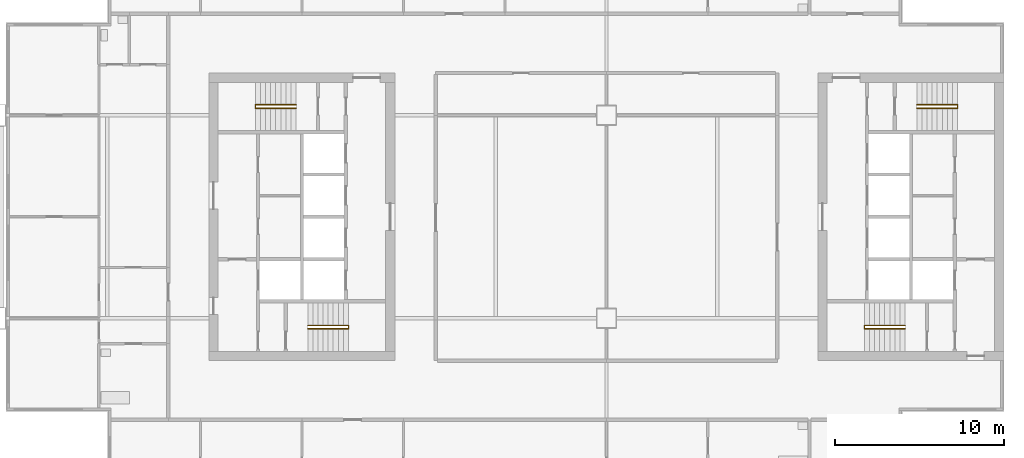
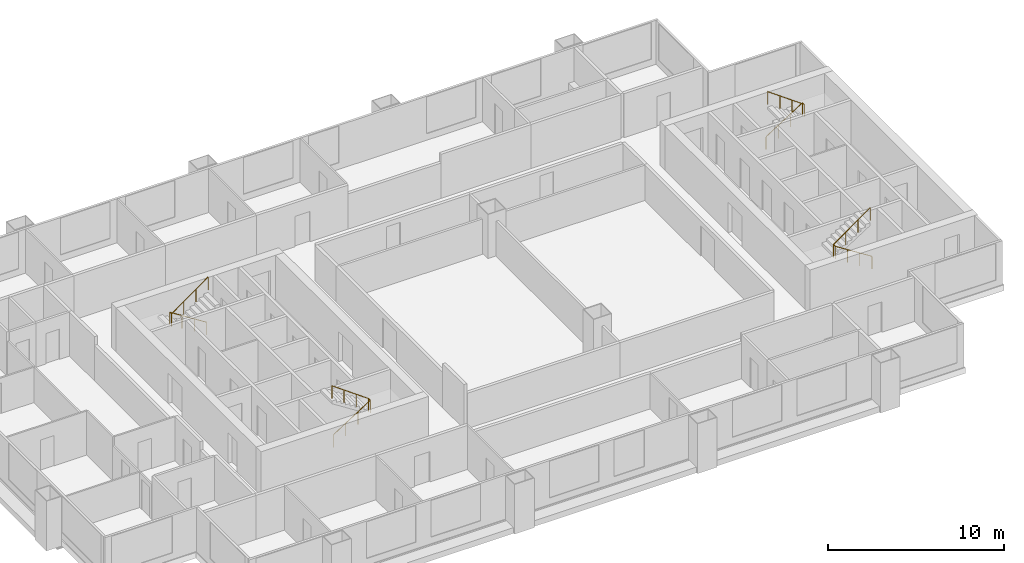
# One storey, part 7 of 8: 4 railings.
"""IFC4 building model written with IfcOpenShell, lengths in metres."""

from ifc_helpers import new_model, si_unit, direction, frame, origin, origin_2d, place, context, subcontext, project, spatial, circle, extrude, material, type_object, element, save


model = new_model("IFC4")

# Units and contexts
model_context = context("Model", 3, precision=1e-05, world=origin(), true_north=direction((0.0, 1.0)))
body_context = subcontext(model_context, "Body", "Model", "MODEL_VIEW")
ifc_project = project(units=[si_unit("LENGTHUNIT", "METRE"), si_unit("AREAUNIT", "SQUARE_METRE"), si_unit("VOLUMEUNIT", "CUBIC_METRE"), si_unit("PLANEANGLEUNIT", "RADIAN"), si_unit("MASSUNIT", "GRAM", prefix="KILO")], contexts=[model_context])

# Site, building, storey
site_placement = place(None, origin())
site = spatial("IfcSite", under=ifc_project, at=site_placement, CompositionType="ELEMENT")
building_placement = place(site_placement, origin())
building = spatial("IfcBuilding", under=site, at=building_placement, Name="Kitamizu Gate Tower and Museum", CompositionType="ELEMENT")
storey_placement = place(building_placement, frame((0.0, 0.0, 172.050048828125)))
storey = spatial("IfcBuildingStorey", under=building, at=storey_placement, Name="L45", CompositionType="ELEMENT", Elevation=172.050048828125)

# Railings
ifc_material = material(Name="Stainless steel SUS304", Category="steel")
railing_type = type_object("IfcRailingType", Name="Stair handrail 900", PredefinedType="HANDRAIL", material=ifc_material)
railing_1_placement = place(storey_placement, frame((18.35009765625, 23.375, 0.191650390625)))
element("IfcRailing", 1, at=railing_1_placement, inside=storey, type_object=railing_type, Name="Stair handrail ST1", PredefinedType="HANDRAIL", context=body_context, shape_type="SweptSolid", body=[
    extrude(circle(Radius=0.02392578125, at=origin_2d()), frame((0.0, 0.0, 0.8759765625), z_axis=(0.84270706373, 0.0, 0.538372366248), x_axis=(0.0, 1.0, 0.0)), (0.0, 0.0, 1.0), 2.847900390625),
    extrude(circle(Radius=0.02392578125, at=origin_2d()), frame((2.39990234375, 0.0, 2.4091796875), z_axis=(0.0, 1.0, 0.0), x_axis=(-1.0, 0.0, 0.0)), (0.0, 0.0, 1.0), 0.199951171875),
    extrude(circle(Radius=0.02392578125, at=origin_2d()), frame((2.39990234375, 0.199951171875, 2.4091796875), z_axis=(-0.811988456656, 0.0, 0.583673492852), x_axis=(0.0, -1.0, 0.0)), (0.0, 0.0, 1.0), 2.95556640625),
    extrude(circle(Radius=0.02099609375, at=origin_2d()), origin(), (0.0, 0.0, 1.0), 0.851806640625),
    extrude(circle(Radius=0.02099609375, at=origin_2d()), frame((0.800048828125, 0.0, 0.510986328125)), (0.0, 0.0, 1.0), 0.851806640625),
    extrude(circle(Radius=0.02099609375, at=origin_2d()), frame((1.599853515625, 0.0, 1.022216796875)), (0.0, 0.0, 1.0), 0.851806640625),
    extrude(circle(Radius=0.02099609375, at=origin_2d()), frame((2.39990234375, 0.0, 1.533203125)), (0.0, 0.0, 1.0), 0.851806640625),
    extrude(circle(Radius=0.02099609375, at=origin_2d()), frame((2.39990234375, 0.199951171875, 1.533203125)), (0.0, 0.0, 1.0), 0.851806640625),
    extrude(circle(Radius=0.02099609375, at=origin_2d()), frame((1.599853515625, 0.199951171875, 2.108154296875)), (0.0, 0.0, 1.0), 0.851806640625),
    extrude(circle(Radius=0.02099609375, at=origin_2d()), frame((0.800048828125, 0.199951171875, 2.683349609375)), (0.0, 0.0, 1.0), 0.851806640625),
    extrude(circle(Radius=0.02099609375, at=origin_2d()), frame((0.0, 0.199951171875, 3.25830078125)), (0.0, 0.0, 1.0), 0.851806640625),
])
railing_2_placement = place(storey_placement, frame((17.64990234375, 36.625, 0.191650390625)))
element("IfcRailing", 2, at=railing_2_placement, inside=storey, type_object=railing_type, Name="Stair handrail ST2", PredefinedType="HANDRAIL", context=body_context, shape_type="SweptSolid", body=[
    extrude(circle(Radius=0.02392578125, at=origin_2d()), frame((0.0, 0.0, 0.8759765625), z_axis=(-0.84270706373, 0.0, 0.538372366248), x_axis=(0.0, -1.0, 0.0)), (0.0, 0.0, 1.0), 2.847900390625),
    extrude(circle(Radius=0.02392578125, at=origin_2d()), frame((-2.39990234375, 0.0, 2.4091796875), z_axis=(0.0, -1.0, 0.0), x_axis=(1.0, 0.0, 0.0)), (0.0, 0.0, 1.0), 0.199951171875),
    extrude(circle(Radius=0.02392578125, at=origin_2d()), frame((-2.39990234375, -0.199951171875, 2.4091796875), z_axis=(0.811988456656, 0.0, 0.583673492852), x_axis=(0.0, 1.0, 0.0)), (0.0, 0.0, 1.0), 2.95556640625),
    extrude(circle(Radius=0.02099609375, at=origin_2d()), origin(), (0.0, 0.0, 1.0), 0.851806640625),
    extrude(circle(Radius=0.02099609375, at=origin_2d()), frame((-0.800048828125, 0.0, 0.510986328125)), (0.0, 0.0, 1.0), 0.851806640625),
    extrude(circle(Radius=0.02099609375, at=origin_2d()), frame((-1.599853515625, 0.0, 1.022216796875)), (0.0, 0.0, 1.0), 0.851806640625),
    extrude(circle(Radius=0.02099609375, at=origin_2d()), frame((-2.39990234375, 0.0, 1.533203125)), (0.0, 0.0, 1.0), 0.851806640625),
    extrude(circle(Radius=0.02099609375, at=origin_2d()), frame((-2.39990234375, -0.199951171875, 1.533203125)), (0.0, 0.0, 1.0), 0.851806640625),
    extrude(circle(Radius=0.02099609375, at=origin_2d()), frame((-1.599853515625, -0.199951171875, 2.108154296875)), (0.0, 0.0, 1.0), 0.851806640625),
    extrude(circle(Radius=0.02099609375, at=origin_2d()), frame((-0.800048828125, -0.199951171875, 2.683349609375)), (0.0, 0.0, 1.0), 0.851806640625),
    extrude(circle(Radius=0.02099609375, at=origin_2d()), frame((0.0, -0.199951171875, 3.25830078125)), (0.0, 0.0, 1.0), 0.851806640625),
])
railing_3_placement = place(storey_placement, frame((53.64990234375, 23.375, 0.191650390625)))
element("IfcRailing", 3, at=railing_3_placement, inside=storey, type_object=railing_type, Name="Stair handrail ST3", PredefinedType="HANDRAIL", context=body_context, shape_type="SweptSolid", body=[
    extrude(circle(Radius=0.02392578125, at=origin_2d()), frame((0.0, 0.0, 0.8759765625), z_axis=(-0.84270706373, 0.0, 0.538372366248), x_axis=(0.0, -1.0, 0.0)), (0.0, 0.0, 1.0), 2.847900390625),
    extrude(circle(Radius=0.02392578125, at=origin_2d()), frame((-2.39990234375, 0.0, 2.4091796875), z_axis=(0.0, 1.0, 0.0), x_axis=(-1.0, 0.0, 0.0)), (0.0, 0.0, 1.0), 0.199951171875),
    extrude(circle(Radius=0.02392578125, at=origin_2d()), frame((-2.39990234375, 0.199951171875, 2.4091796875), z_axis=(0.811988456656, 0.0, 0.583673492852), x_axis=(0.0, 1.0, 0.0)), (0.0, 0.0, 1.0), 2.95556640625),
    extrude(circle(Radius=0.02099609375, at=origin_2d()), origin(), (0.0, 0.0, 1.0), 0.851806640625),
    extrude(circle(Radius=0.02099609375, at=origin_2d()), frame((-0.800048828125, 0.0, 0.510986328125)), (0.0, 0.0, 1.0), 0.851806640625),
    extrude(circle(Radius=0.02099609375, at=origin_2d()), frame((-1.599853515625, 0.0, 1.022216796875)), (0.0, 0.0, 1.0), 0.851806640625),
    extrude(circle(Radius=0.02099609375, at=origin_2d()), frame((-2.39990234375, 0.0, 1.533203125)), (0.0, 0.0, 1.0), 0.851806640625),
    extrude(circle(Radius=0.02099609375, at=origin_2d()), frame((-2.39990234375, 0.199951171875, 1.533203125)), (0.0, 0.0, 1.0), 0.851806640625),
    extrude(circle(Radius=0.02099609375, at=origin_2d()), frame((-1.599853515625, 0.199951171875, 2.108154296875)), (0.0, 0.0, 1.0), 0.851806640625),
    extrude(circle(Radius=0.02099609375, at=origin_2d()), frame((-0.800048828125, 0.199951171875, 2.683349609375)), (0.0, 0.0, 1.0), 0.851806640625),
    extrude(circle(Radius=0.02099609375, at=origin_2d()), frame((0.0, 0.199951171875, 3.25830078125)), (0.0, 0.0, 1.0), 0.851806640625),
])
railing_4_placement = place(storey_placement, frame((54.35009765625, 36.625, 0.191650390625)))
element("IfcRailing", 4, at=railing_4_placement, inside=storey, type_object=railing_type, Name="Stair handrail ST4", PredefinedType="HANDRAIL", context=body_context, shape_type="SweptSolid", body=[
    extrude(circle(Radius=0.02392578125, at=origin_2d()), frame((0.0, 0.0, 0.8759765625), z_axis=(0.84270706373, 0.0, 0.538372366248), x_axis=(0.0, 1.0, 0.0)), (0.0, 0.0, 1.0), 2.847900390625),
    extrude(circle(Radius=0.02392578125, at=origin_2d()), frame((2.39990234375, 0.0, 2.4091796875), z_axis=(0.0, -1.0, 0.0), x_axis=(1.0, 0.0, 0.0)), (0.0, 0.0, 1.0), 0.199951171875),
    extrude(circle(Radius=0.02392578125, at=origin_2d()), frame((2.39990234375, -0.199951171875, 2.4091796875), z_axis=(-0.811988456656, 0.0, 0.583673492852), x_axis=(0.0, -1.0, 0.0)), (0.0, 0.0, 1.0), 2.95556640625),
    extrude(circle(Radius=0.02099609375, at=origin_2d()), origin(), (0.0, 0.0, 1.0), 0.851806640625),
    extrude(circle(Radius=0.02099609375, at=origin_2d()), frame((0.800048828125, 0.0, 0.510986328125)), (0.0, 0.0, 1.0), 0.851806640625),
    extrude(circle(Radius=0.02099609375, at=origin_2d()), frame((1.599853515625, 0.0, 1.022216796875)), (0.0, 0.0, 1.0), 0.851806640625),
    extrude(circle(Radius=0.02099609375, at=origin_2d()), frame((2.39990234375, 0.0, 1.533203125)), (0.0, 0.0, 1.0), 0.851806640625),
    extrude(circle(Radius=0.02099609375, at=origin_2d()), frame((2.39990234375, -0.199951171875, 1.533203125)), (0.0, 0.0, 1.0), 0.851806640625),
    extrude(circle(Radius=0.02099609375, at=origin_2d()), frame((1.599853515625, -0.199951171875, 2.108154296875)), (0.0, 0.0, 1.0), 0.851806640625),
    extrude(circle(Radius=0.02099609375, at=origin_2d()), frame((0.800048828125, -0.199951171875, 2.683349609375)), (0.0, 0.0, 1.0), 0.851806640625),
    extrude(circle(Radius=0.02099609375, at=origin_2d()), frame((0.0, -0.199951171875, 3.25830078125)), (0.0, 0.0, 1.0), 0.851806640625),
])

save(model, "model.ifc")
